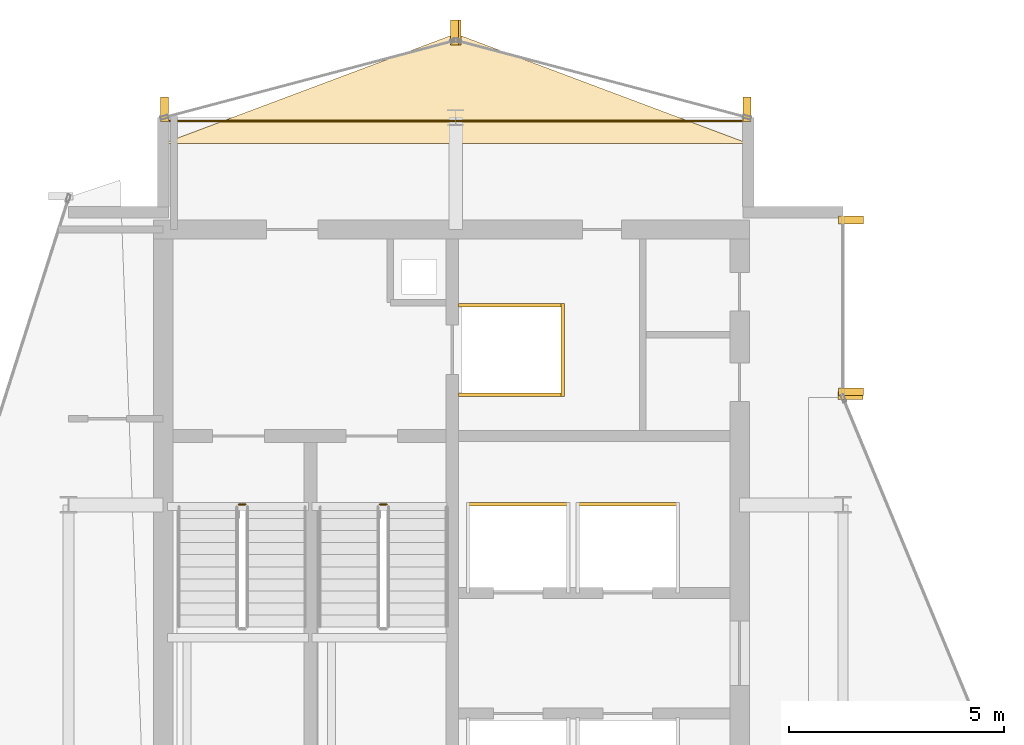
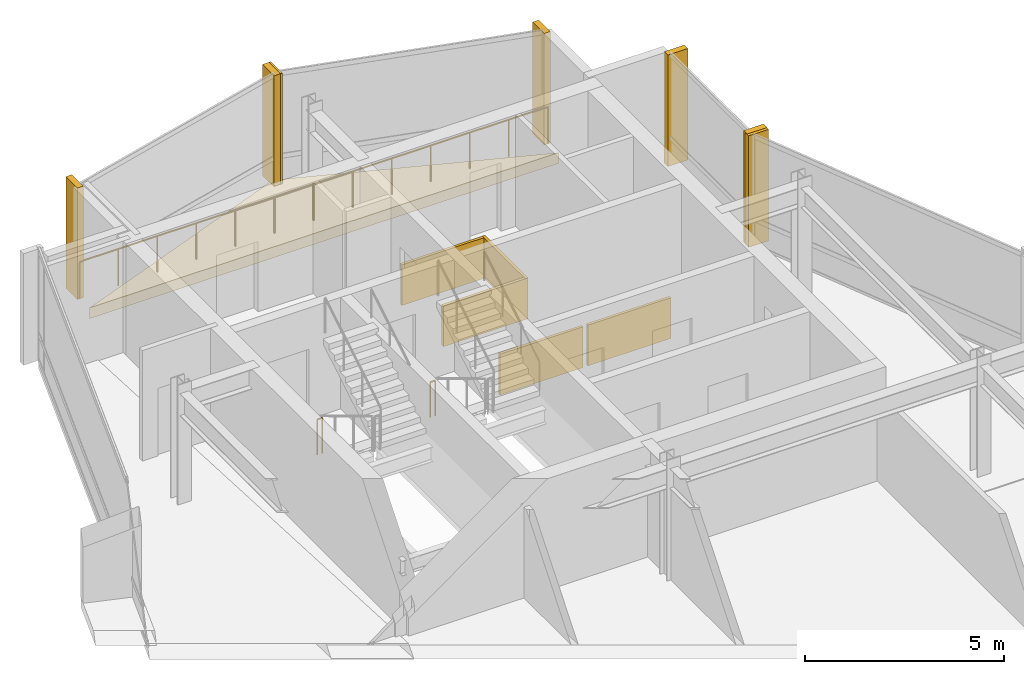
# One storey, part 19 of 19: 13 coverings, 3 railings.
"""IFC4 building model written with IfcOpenShell, lengths in metres."""

from ifc_helpers import new_model, si_unit, direction, frame, origin, origin_2d, place, context, subcontext, project, spatial, polyline, rectangle, circle, outline, extrude, material, layer, layer_set, type_object, element, save


model = new_model("IFC4")

# Units and contexts
model_context = context("Model", 3, precision=1e-05, world=origin(), true_north=direction((0.0, 1.0)))
body_context = subcontext(model_context, "Body", "Model", "MODEL_VIEW")
ifc_project = project(units=[si_unit("LENGTHUNIT", "METRE"), si_unit("AREAUNIT", "SQUARE_METRE"), si_unit("VOLUMEUNIT", "CUBIC_METRE"), si_unit("PLANEANGLEUNIT", "RADIAN"), si_unit("MASSUNIT", "GRAM", prefix="KILO")], contexts=[model_context])

# Site, building, storey
site_placement = place(None, origin())
site = spatial("IfcSite", under=ifc_project, at=site_placement, CompositionType="ELEMENT")
building_placement = place(site_placement, origin())
building = spatial("IfcBuilding", under=site, at=building_placement, Name="Solvaryn Broadcast Tower", CompositionType="ELEMENT")
storey_placement = place(building_placement, frame((0.0, 0.0, 277.800048828125)))
storey = spatial("IfcBuildingStorey", under=building, at=storey_placement, Name="L70", CompositionType="ELEMENT", Elevation=277.800048828125)

# Coverings
ifc_material_1 = material(Name="Fire-Rated Gypsum Shaftwall Liner", Category="concrete")
ifc_layer_1 = layer(ifc_material_1, 0.080078125)
ifc_layer_set_1 = layer_set([ifc_layer_1], Name="CV-SHAFT-LINER")
covering_type_1 = type_object("IfcCoveringType", Name="CV-SHAFT-LINER", PredefinedType="CLADDING", material=ifc_layer_set_1)
for number, where, z_axis, x_axis, name in (
    (1, (19.300048828125, 40.639892578125, 0.0), (0.0, 0.0, 1.0), (1.0, 0.0, 0.0), "L70 FL1 Hoistway Shaft Liner North"),
    (2, (19.300048828125, 38.56005859375, 0.0), (0.0, 0.0, 1.0), (1.0, 0.0, 0.0), "L70 FL1 Hoistway Shaft Liner South"),
):
    element("IfcCovering", number, at=place(storey_placement, frame(where, z_axis=z_axis, x_axis=x_axis)), inside=storey, type_object=covering_type_1, Name=name, PredefinedType="CLADDING", context=body_context, shape_type="SweptSolid", body=[
        extrude(rectangle(XDim=2.4599609375, YDim=0.080078125, at=origin_2d()), origin(), (0.0, 0.0, 1.0), 1.25),
    ])
covering_1_placement = place(storey_placement, frame((20.489990234375, 39.60009765625, 0.0), z_axis=(0.0, 0.0, 1.0), x_axis=(1.0, 0.0, 0.0)))
element("IfcCovering", 3, at=covering_1_placement, inside=storey, type_object=covering_type_1, Name="L70 FL1 Hoistway Shaft Liner East", PredefinedType="CLADDING", context=body_context, shape_type="SweptSolid", body=[
    extrude(rectangle(XDim=0.080078125, YDim=2.159912109375, at=origin_2d()), origin(), (0.0, 0.0, 1.0), 1.25),
])
for number, where, z_axis, x_axis, name in (
    (4, (19.449951171875, 36.014892578125, 0.0), (0.0, 0.0, 1.0), (1.0, 0.0, 0.0), "L70 PH3 Hoistway Shaft Liner North"),
    (5, (22.0, 36.014892578125, 0.0), (0.0, 0.0, 1.0), (1.0, 0.0, 0.0), "L70 PH4 Hoistway Shaft Liner North"),
):
    element("IfcCovering", number, at=place(storey_placement, frame(where, z_axis=z_axis, x_axis=x_axis)), inside=storey, type_object=covering_type_1, Name=name, PredefinedType="CLADDING", context=body_context, shape_type="SweptSolid", body=[
        extrude(rectangle(XDim=2.409912109375, YDim=0.080078125, at=origin_2d()), origin(), (0.0, 0.0, 1.0), 1.25),
    ])
ifc_material_2 = material(Name="Extruded Architectural Terracotta Fin", Category="masonry")
ifc_layer_2 = layer(ifc_material_2, 0.179931640625)
ifc_layer_set_2 = layer_set([ifc_layer_2], Name="CV-TC-FIN")
covering_type_2 = type_object("IfcCoveringType", Name="CV-TC-FIN", PredefinedType="USERDEFINED", material=ifc_layer_set_2)
for number, where, z_axis, x_axis, name in (
    (6, (27.1875, 42.6201171875, 0.0), (0.0, 0.0, 1.0), (1.0, 0.0, 0.0), "L70 Terracotta Vertical Fin FIN-L70-IV-M00"),
    (7, (27.1875, 38.6298828125, 0.0), (0.0, 0.0, 1.0), (1.0, 0.0, 0.0), "L70 Terracotta Vertical Fin FIN-L70-IV-M01"),
    (8, (27.177978515625, 38.541259765625, 0.0), (0.0, 0.0, 1.0), (1.0, 0.0, 0.0), "L70 Terracotta Vertical Fin FIN-L70-CN2-M01"),
):
    element("IfcCovering", number, at=place(storey_placement, frame(where, z_axis=z_axis, x_axis=x_axis)), inside=storey, type_object=covering_type_2, Name=name, ObjectType="FIN", PredefinedType="USERDEFINED", context=body_context, shape_type="SweptSolid", body=[
        extrude(rectangle(XDim=0.580078125, YDim=0.179931640625, at=origin_2d()), origin(), (0.0, 0.0, 1.0), 3.419921875),
    ])
for number, where, z_axis, x_axis, name in (
    (9, (24.77099609375, 45.1953125, 0.0), (0.0, 0.0, 1.0), (1.0, 0.0, 0.0), "L70 Terracotta Vertical Fin FIN-L70-NT1-M00"),
    (10, (18.029052734375, 46.979736328125, 0.0), (0.0, 0.0, 1.0), (1.0, 0.0, 0.0), "L70 Terracotta Vertical Fin FIN-L70-NT1-M01"),
    (11, (17.970947265625, 46.979736328125, 0.0), (0.0, 0.0, 1.0), (1.0, 0.0, 0.0), "L70 Terracotta Vertical Fin FIN-L70-NT2-M00"),
    (12, (11.22900390625, 45.1953125, 0.0), (0.0, 0.0, 1.0), (1.0, 0.0, 0.0), "L70 Terracotta Vertical Fin FIN-L70-NT2-M01"),
):
    element("IfcCovering", number, at=place(storey_placement, frame(where, z_axis=z_axis, x_axis=x_axis)), inside=storey, type_object=covering_type_2, Name=name, ObjectType="FIN", PredefinedType="USERDEFINED", context=body_context, shape_type="SweptSolid", body=[
        extrude(rectangle(XDim=0.179931640625, YDim=0.580078125, at=origin_2d()), origin(), (0.0, 0.0, 1.0), 3.419921875),
    ])
ifc_material_3 = material(Name="Sculpted Architectural Terracotta Wave Fascia", Category="masonry")
ifc_layer_3 = layer(ifc_material_3, 0.340087890625)
ifc_layer_set_3 = layer_set([ifc_layer_3], Name="CV-WAVE-TRAY")
covering_type_3 = type_object("IfcCoveringType", Name="CV-WAVE-TRAY", PredefinedType="CLADDING", material=ifc_layer_set_3)
covering_2_placement = place(storey_placement, frame((0.0, 0.0, -0.300048828125)))
element("IfcCovering", 13, at=covering_2_placement, inside=storey, type_object=covering_type_3, Name="L70 North Curved Wing Deck", PredefinedType="CLADDING", context=body_context, shape_type="SweptSolid", body=[
    extrude(outline(polyline([(11.199951171875, 44.39990234375), (24.800048828125, 44.39990234375), (18.0, 46.949951171875), (11.199951171875, 44.39990234375)])), origin(), (0.0, 0.0, 1.0), 0.330078125),
])

# Railings
ifc_material_4 = material(Name="Painted Steel Stair Well Guard", Category="steel")
railing_type_1 = type_object("IfcRailingType", Name="RL-STAIR-GUARD", PredefinedType="BALUSTRADE", material=ifc_material_4)
railing_1_placement = place(storey_placement, frame((12.9599609375, 36.010009765625, 0.0)))
element("IfcRailing", 14, at=railing_1_placement, inside=storey, type_object=railing_type_1, Name="L70 ST1 stair guard 4", PredefinedType="BALUSTRADE", context=body_context, shape_type="SweptSolid", body=[
    extrude(circle(Radius=0.02392578125, at=origin_2d()), frame((0.0, 0.0, 1.076171875), z_axis=(1.0, 0.0, 0.0), x_axis=(0.0, 1.0, 0.0)), (0.0, 0.0, 1.0), 0.150146484375),
    extrude(circle(Radius=0.02099609375, at=origin_2d()), origin(), (0.0, 0.0, 1.0), 1.052001953125),
    extrude(circle(Radius=0.02099609375, at=origin_2d()), frame((0.150146484375, 0.0, 0.0)), (0.0, 0.0, 1.0), 1.052001953125),
])
railing_2_placement = place(storey_placement, frame((16.239990234375, 36.010009765625, 0.0)))
element("IfcRailing", 15, at=railing_2_placement, inside=storey, type_object=railing_type_1, Name="L70 ST2 stair guard 4", PredefinedType="BALUSTRADE", context=body_context, shape_type="SweptSolid", body=[
    extrude(circle(Radius=0.02392578125, at=origin_2d()), frame((0.0, 0.0, 1.076171875), z_axis=(1.0, 0.0, 0.0), x_axis=(0.0, 1.0, 0.0)), (0.0, 0.0, 1.0), 0.14990234375),
    extrude(circle(Radius=0.02099609375, at=origin_2d()), origin(), (0.0, 0.0, 1.0), 1.052001953125),
    extrude(circle(Radius=0.02099609375, at=origin_2d()), frame((0.14990234375, 0.0, 0.0)), (0.0, 0.0, 1.0), 1.052001953125),
])
ifc_material_5 = material(Name="Stainless Steel and Laminated Glass Guard", Category="steel")
railing_type_2 = type_object("IfcRailingType", Name="RL-TER-1150", PredefinedType="BALUSTRADE", material=ifc_material_5)
railing_3_placement = place(storey_placement, frame((11.199951171875, 44.919921875, 0.0)))
element("IfcRailing", 16, at=railing_3_placement, inside=storey, type_object=railing_type_2, Name="L70 North Wing Spandrel Edge Guard", PredefinedType="BALUSTRADE", context=body_context, shape_type="SweptSolid", body=[
    extrude(circle(Radius=0.02392578125, at=origin_2d()), frame((0.0, 0.0, 1.1259765625), z_axis=(1.0, 0.0, 0.0), x_axis=(0.0, 1.0, 0.0)), (0.0, 0.0, 1.0), 13.60009765625),
    extrude(circle(Radius=0.02099609375, at=origin_2d()), origin(), (0.0, 0.0, 1.0), 1.101806640625),
    extrude(circle(Radius=0.02099609375, at=origin_2d()), frame((1.13330078125, 0.0, 0.0)), (0.0, 0.0, 1.0), 1.101806640625),
    extrude(circle(Radius=0.02099609375, at=origin_2d()), frame((2.2666015625, 0.0, 0.0)), (0.0, 0.0, 1.0), 1.101806640625),
    extrude(circle(Radius=0.02099609375, at=origin_2d()), frame((3.39990234375, 0.0, 0.0)), (0.0, 0.0, 1.0), 1.101806640625),
    extrude(circle(Radius=0.02099609375, at=origin_2d()), frame((4.533447265625, 0.0, 0.0)), (0.0, 0.0, 1.0), 1.101806640625),
    extrude(circle(Radius=0.02099609375, at=origin_2d()), frame((5.666748046875, 0.0, 0.0)), (0.0, 0.0, 1.0), 1.101806640625),
    extrude(circle(Radius=0.02099609375, at=origin_2d()), frame((6.800048828125, 0.0, 0.0)), (0.0, 0.0, 1.0), 1.101806640625),
    extrude(circle(Radius=0.02099609375, at=origin_2d()), frame((7.933349609375, 0.0, 0.0)), (0.0, 0.0, 1.0), 1.101806640625),
    extrude(circle(Radius=0.02099609375, at=origin_2d()), frame((9.066650390625, 0.0, 0.0)), (0.0, 0.0, 1.0), 1.101806640625),
    extrude(circle(Radius=0.02099609375, at=origin_2d()), frame((10.2001953125, 0.0, 0.0)), (0.0, 0.0, 1.0), 1.101806640625),
    extrude(circle(Radius=0.02099609375, at=origin_2d()), frame((11.33349609375, 0.0, 0.0)), (0.0, 0.0, 1.0), 1.101806640625),
    extrude(circle(Radius=0.02099609375, at=origin_2d()), frame((12.466796875, 0.0, 0.0)), (0.0, 0.0, 1.0), 1.101806640625),
    extrude(circle(Radius=0.02099609375, at=origin_2d()), frame((13.60009765625, 0.0, 0.0)), (0.0, 0.0, 1.0), 1.101806640625),
])

save(model, "model.ifc")
